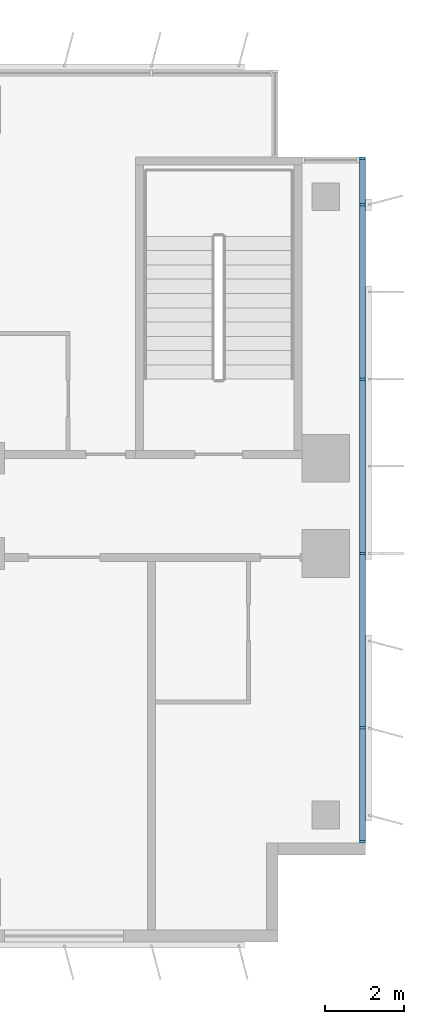
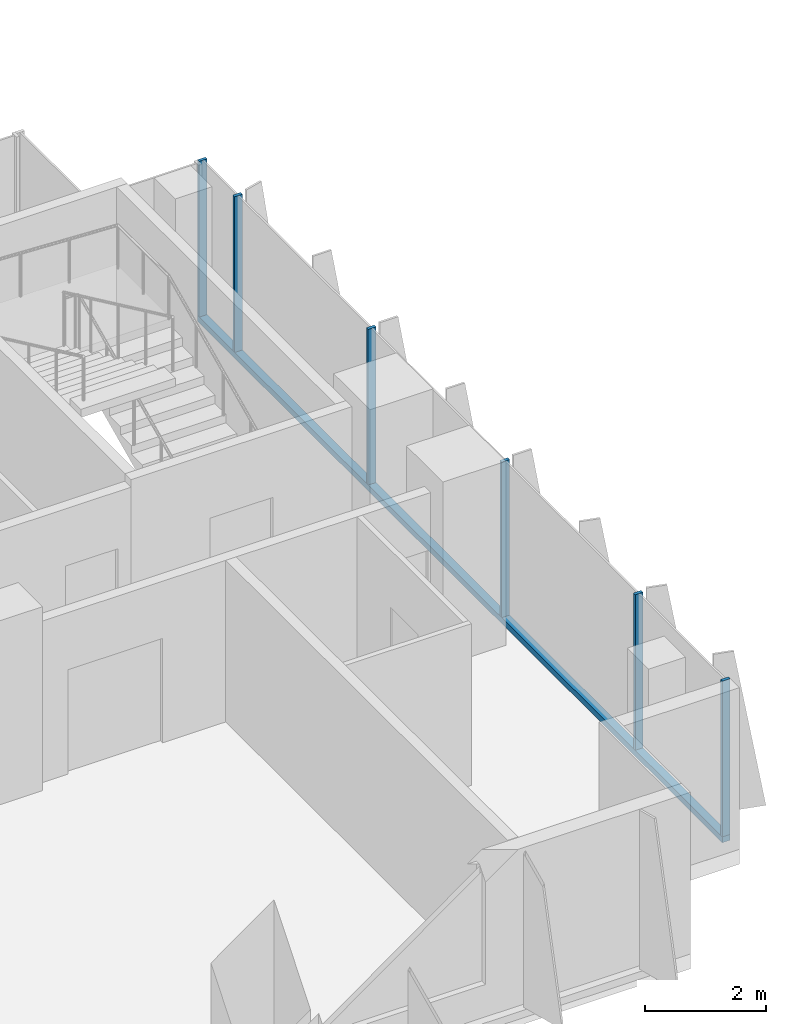
# One storey, part 8 of 22: 7 members, 1 element without a shape of its own.
"""IFC4 building model written with IfcOpenShell, lengths in metres."""

from ifc_helpers import new_model, si_unit, direction, frame, origin, origin_2d, place, context, subcontext, project, spatial, rectangle, extrude, source, transform, mapped, material, material_profile, profile_set, type_object, element, aggregate, save


model = new_model("IFC4")

# Units and contexts
model_context = context("Model", 3, precision=1e-05, world=origin(), true_north=direction((0.0, 1.0)))
body_context = subcontext(model_context, "Body", "Model", "MODEL_VIEW")
ifc_project = project(units=[si_unit("LENGTHUNIT", "METRE"), si_unit("AREAUNIT", "SQUARE_METRE"), si_unit("VOLUMEUNIT", "CUBIC_METRE"), si_unit("PLANEANGLEUNIT", "RADIAN"), si_unit("MASSUNIT", "GRAM", prefix="KILO")], contexts=[model_context])

# Site, building, storey
site_placement = place(None, origin())
site = spatial("IfcSite", under=ifc_project, at=site_placement, CompositionType="ELEMENT")
building_placement = place(site_placement, origin())
building = spatial("IfcBuilding", under=site, at=building_placement, Name="Kemantara Hotel Tower", CompositionType="ELEMENT")
storey_placement = place(building_placement, frame((0.0, 0.0, 149.39990234375)))
storey = spatial("IfcBuildingStorey", under=building, at=storey_placement, Name="L36", CompositionType="ELEMENT", Elevation=149.39990234375)

# Curtain wall, members
ifc_material_1 = material(Name="Low-E tinted double insulated glass 36 mm", Category="glass")
curtain_wall_type = type_object("IfcCurtainWallType", Name="TOWER CURTAIN WALL, FRONT FACES", PredefinedType="USERDEFINED", material=ifc_material_1)
curtain_wall_placement = place(storey_placement, origin())
curtain_wall = element("IfcCurtainWall", 1, at=curtain_wall_placement, inside=storey, type_object=curtain_wall_type, Name="CW4 L36 T2-R10-1", ObjectType="TOWER CURTAIN WALL, FRONT FACES", PredefinedType="USERDEFINED")
ifc_material_2 = material(Name="Aluminium 6063-T6 bronze anodised", Category="aluminium")
ifc_material_profile_1 = material_profile(ifc_material_2, rectangle(XDim=0.14990234375, YDim=0.1201171875, at=origin_2d()), Name="TOWER CURTAIN WALL, FRONT FACES TRANSOM")
ifc_profile_set_1 = profile_set([ifc_material_profile_1], Name="Aluminium 6063-T6 bronze anodised")
member_type_1 = type_object("IfcMemberType", Name="TOWER CURTAIN WALL, FRONT FACES TRANSOM", PredefinedType="USERDEFINED", material=ifc_profile_set_1)
member_1_placement = place(storey_placement, frame((63.52490234375, 2.5, 0.06005859375), z_axis=(0.0, 1.0, 0.0), x_axis=(-1.0, 0.0, 0.0)))
member_1 = element("IfcMember", 2, at=member_1_placement, type_object=member_type_1, Name="CW4 sill transom T2-R10-1", ObjectType="TRANSOM", PredefinedType="USERDEFINED", context=body_context, shape_type="SweptSolid", body=[
    extrude(rectangle(XDim=0.14990234375, YDim=0.1201171875, at=origin_2d()), origin(), (0.0, 0.0, 1.0), 17.300048828125),
])
ifc_material_profile_2 = material_profile(ifc_material_2, rectangle(XDim=0.14990234375, YDim=0.06005859375, at=origin_2d()), Name="TOWER CURTAIN WALL, FRONT FACES MULLION")
ifc_profile_set_2 = profile_set([ifc_material_profile_2], Name="Aluminium 6063-T6 bronze anodised")
member_type_2 = type_object("IfcMemberType", Name="TOWER CURTAIN WALL, FRONT FACES MULLION", PredefinedType="MULLION", material=ifc_profile_set_2)
shared_shape = source(origin(), body_context, "Body", "SweptSolid", [
    extrude(rectangle(XDim=0.14990234375, YDim=0.06005859375, at=origin_2d()), origin(), (0.0, 0.0, 1.0), 3.1298828125),
])
member_2_placement = place(storey_placement, frame((63.52490234375, 2.530029296875, 0.1201171875), z_axis=(0.0, 0.0, 1.0), x_axis=(-1.0, 0.0, 0.0)))
member_2 = element("IfcMember", 3, at=member_2_placement, type_object=member_type_2, Name="CW4 mullion T2-R10-1.1", PredefinedType="MULLION", context=body_context, shape_type="MappedRepresentation", body=[
    mapped(shared_shape, transform((0.0, 0.0, 0.0))),
])
member_3_placement = place(storey_placement, frame((63.52490234375, 5.39990234375, 0.1201171875), z_axis=(0.0, 0.0, 1.0), x_axis=(-1.0, 0.0, 0.0)))
member_3 = element("IfcMember", 4, at=member_3_placement, type_object=member_type_2, Name="CW4 mullion T2-R10-1.2", PredefinedType="MULLION", context=body_context, shape_type="MappedRepresentation", body=[
    mapped(shared_shape, transform((0.0, 0.0, 0.0))),
])
member_4_placement = place(storey_placement, frame((63.52490234375, 9.800048828125, 0.1201171875), z_axis=(0.0, 0.0, 1.0), x_axis=(-1.0, 0.0, 0.0)))
member_4 = element("IfcMember", 5, at=member_4_placement, type_object=member_type_2, Name="CW4 mullion T2-R10-1.3", PredefinedType="MULLION", context=body_context, shape_type="MappedRepresentation", body=[
    mapped(shared_shape, transform((0.0, 0.0, 0.0))),
])
member_5_placement = place(storey_placement, frame((63.52490234375, 14.199951171875, 0.1201171875), z_axis=(0.0, 0.0, 1.0), x_axis=(-1.0, 0.0, 0.0)))
member_5 = element("IfcMember", 6, at=member_5_placement, type_object=member_type_2, Name="CW4 mullion T2-R10-1.4", PredefinedType="MULLION", context=body_context, shape_type="MappedRepresentation", body=[
    mapped(shared_shape, transform((0.0, 0.0, 0.0))),
])
member_6_placement = place(storey_placement, frame((63.52490234375, 18.60009765625, 0.1201171875), z_axis=(0.0, 0.0, 1.0), x_axis=(-1.0, 0.0, 0.0)))
member_6 = element("IfcMember", 7, at=member_6_placement, type_object=member_type_2, Name="CW4 mullion T2-R10-1.5", PredefinedType="MULLION", context=body_context, shape_type="MappedRepresentation", body=[
    mapped(shared_shape, transform((0.0, 0.0, 0.0))),
])
member_7_placement = place(storey_placement, frame((63.52490234375, 19.77001953125, 0.1201171875), z_axis=(0.0, 0.0, 1.0), x_axis=(-1.0, 0.0, 0.0)))
member_7 = element("IfcMember", 8, at=member_7_placement, type_object=member_type_2, Name="CW4 mullion T2-R10-1.6", PredefinedType="MULLION", context=body_context, shape_type="MappedRepresentation", body=[
    mapped(shared_shape, transform((0.0, 0.0, 0.0))),
])
aggregate(curtain_wall, [member_1, member_2, member_3, member_4, member_5, member_6, member_7])

save(model, "model.ifc")
